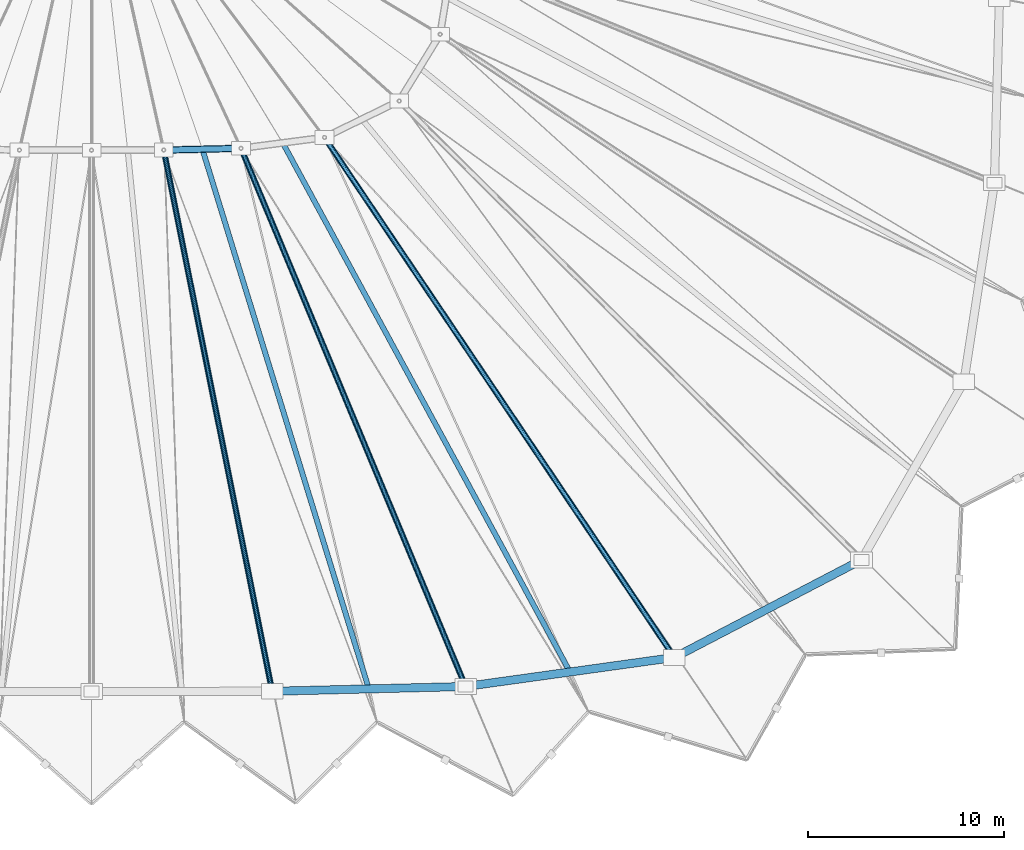
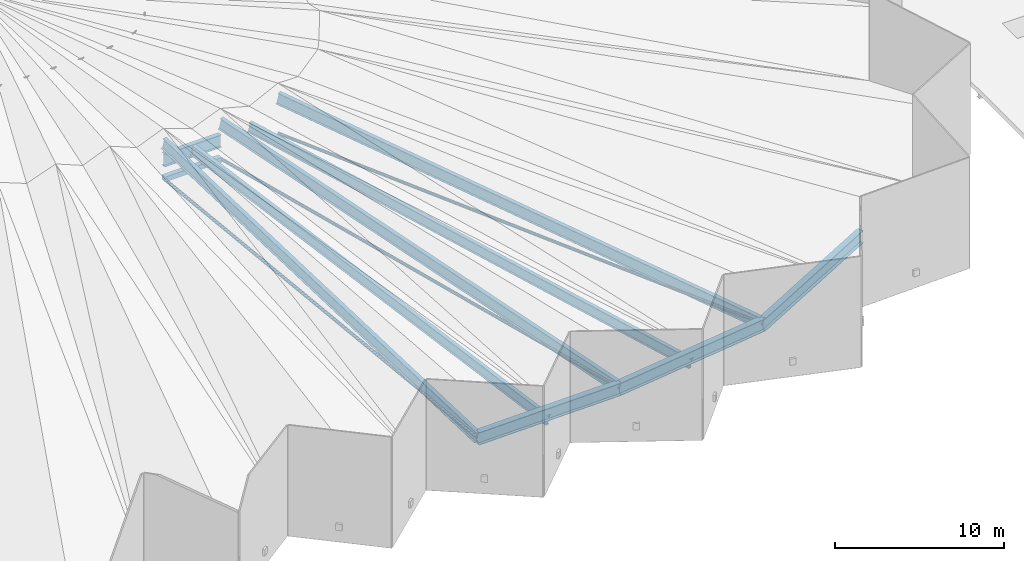
# One storey, part 17 of 41: 9 beams, 4 members.
"""IFC4 building model written with IfcOpenShell, lengths in metres."""

from ifc_helpers import new_model, si_unit, direction, frame, origin, origin_2d, place, context, subcontext, project, spatial, hollow_rectangle, hollow_circle, i_section, extrude, material, material_profile, profile_set, type_object, element, save


model = new_model("IFC4")

# Units and contexts
model_context = context("Model", 3, precision=1e-05, world=origin(), true_north=direction((0.0, 1.0)))
body_context = subcontext(model_context, "Body", "Model", "MODEL_VIEW")
ifc_project = project(units=[si_unit("LENGTHUNIT", "METRE"), si_unit("AREAUNIT", "SQUARE_METRE"), si_unit("VOLUMEUNIT", "CUBIC_METRE"), si_unit("PLANEANGLEUNIT", "RADIAN"), si_unit("MASSUNIT", "GRAM", prefix="KILO")], contexts=[model_context])

# Site, building, storey
site_placement = place(None, origin())
site = spatial("IfcSite", under=ifc_project, at=site_placement, CompositionType="ELEMENT")
building_placement = place(site_placement, origin())
building = spatial("IfcBuilding", under=site, at=building_placement, Name="Luwafu Chhajja Arena", CompositionType="ELEMENT")
storey_placement = place(building_placement, frame((0.0, 0.0, 29.699951171875)))
storey = spatial("IfcBuildingStorey", under=building, at=storey_placement, Name="RF", CompositionType="ELEMENT", Elevation=29.699951171875)

# Beams
ifc_material = material(Name="Steel S355", Category="steel")
ifc_material_profile_1 = material_profile(ifc_material, i_section(OverallWidth=0.29248046875, OverallDepth=0.8408203125, WebThickness=0.0146484375, FlangeThickness=0.021728515625, at=origin_2d()), Name="UB 838x292x194")
ifc_profile_set_1 = profile_set([ifc_material_profile_1], Name="Steel S355")
beam_type_1 = type_object("IfcBeamType", Name="Folded Roof Ridge Girder UB 838x292x194", PredefinedType="BEAM", material=ifc_profile_set_1)
beam_1_placement = place(storey_placement, frame((108.207275390625, 5.411865234375, 0.179931640625), z_axis=(-0.191411716732, 0.955359513043, 0.225055005577), x_axis=(-0.980513548882, -0.196451471, 0.0)))
element("IfcBeam", 1, at=beam_1_placement, inside=storey, type_object=beam_type_1, Name="Roof truss ridge beam FR-26", PredefinedType="BEAM", context=body_context, shape_type="SweptSolid", body=[
    extrude(i_section(OverallWidth=0.29248046875, OverallDepth=0.8408203125, WebThickness=0.0146484375, FlangeThickness=0.021728515625, at=origin_2d()), origin(), (0.0, 0.0, 1.0), 28.8818359375),
])
beam_2_placement = place(storey_placement, frame((118.067138671875, 5.6552734375, 0.179931640625), z_axis=(-0.376163407682, 0.901603356714, 0.213570779564), x_axis=(-0.922896807402, -0.385047377459, 0.0)))
element("IfcBeam", 2, at=beam_2_placement, inside=storey, type_object=beam_type_1, Name="Roof truss ridge beam FR-27", PredefinedType="BEAM", context=body_context, shape_type="SweptSolid", body=[
    extrude(i_section(OverallWidth=0.29248046875, OverallDepth=0.8408203125, WebThickness=0.0146484375, FlangeThickness=0.021728515625, at=origin_2d()), origin(), (0.0, 0.0, 1.0), 30.434814453125),
])
beam_3_placement = place(storey_placement, frame((128.718017578125, 7.13720703125, 0.179931640625), z_axis=(-0.547145201878, 0.81296218727, 0.199310336236), x_axis=(-0.829607074057, -0.558347653953, 0.0)))
element("IfcBeam", 3, at=beam_3_placement, inside=storey, type_object=beam_type_1, Name="Roof truss ridge beam FR-28", PredefinedType="BEAM", context=body_context, shape_type="SweptSolid", body=[
    extrude(i_section(OverallWidth=0.29248046875, OverallDepth=0.8408203125, WebThickness=0.0146484375, FlangeThickness=0.021728515625, at=origin_2d()), origin(), (0.0, 0.0, 1.0), 32.612548828125),
])
ifc_material_profile_2 = material_profile(ifc_material, i_section(OverallWidth=0.2666015625, OverallDepth=0.76220703125, WebThickness=0.014404296875, FlangeThickness=0.021484375, at=origin_2d()), Name="UB 762x267x173")
ifc_profile_set_2 = profile_set([ifc_material_profile_2], Name="Steel S355")
beam_type_2 = type_object("IfcBeamType", Name="Folded Roof Valley Girder UB 762x267x173", PredefinedType="BEAM", material=ifc_profile_set_2)
beam_4_placement = place(storey_placement, frame((113.13720703125, 5.53369140625, -0.3798828125), z_axis=(-0.288785431245, 0.936116966661, 0.200718707224), x_axis=(-0.955563723311, -0.294784617463, 0.0)))
element("IfcBeam", 4, at=beam_4_placement, inside=storey, type_object=beam_type_2, Name="Roof truss valley beam FV-26", PredefinedType="BEAM", context=body_context, shape_type="SweptSolid", body=[
    extrude(i_section(OverallWidth=0.2666015625, OverallDepth=0.76220703125, WebThickness=0.014404296875, FlangeThickness=0.021484375, at=origin_2d()), origin(), (0.0, 0.0, 1.0), 29.393798828125),
])
beam_5_placement = place(storey_placement, frame((123.392578125, 6.396240234375, -0.3798828125), z_axis=(-0.4685551844, 0.863035066768, 0.188749868081), x_axis=(-0.878831897098, -0.47713152971, 0.0)))
element("IfcBeam", 5, at=beam_5_placement, inside=storey, type_object=beam_type_2, Name="Roof truss valley beam FV-27", PredefinedType="BEAM", context=body_context, shape_type="SweptSolid", body=[
    extrude(i_section(OverallWidth=0.2666015625, OverallDepth=0.76220703125, WebThickness=0.014404296875, FlangeThickness=0.021484375, at=origin_2d()), origin(), (0.0, 0.0, 1.0), 31.2578125),
])
ifc_material_profile_3 = material_profile(ifc_material, i_section(OverallWidth=0.305419921875, OverallDepth=0.91845703125, WebThickness=0.017333984375, FlangeThickness=0.02783203125, at=origin_2d()), Name="UB 914x305x253")
ifc_profile_set_3 = profile_set([ifc_material_profile_3], Name="Steel S355")
beam_type_3 = type_object("IfcBeamType", Name="Inner Tension Ring Girder UB 914x305x253", PredefinedType="BEAM", material=ifc_profile_set_3)
beam_6_placement = place(storey_placement, frame((102.678955078125, 33.00439453125, 5.449951171875), z_axis=(0.999732965063, 0.023108408996, 0.0), x_axis=(-0.023108408996, 0.999732965063, 0.0)))
element("IfcBeam", 6, at=beam_6_placement, inside=storey, type_object=beam_type_3, Name="Roof Inner Tension Ring Beam IR-26", PredefinedType="BEAM", context=body_context, shape_type="SweptSolid", body=[
    extrude(i_section(OverallWidth=0.305419921875, OverallDepth=0.91845703125, WebThickness=0.017333984375, FlangeThickness=0.02783203125, at=origin_2d()), origin(), (0.0, 0.0, 1.0), 3.940673828125),
])
ifc_material_profile_4 = material_profile(ifc_material, i_section(OverallWidth=0.41845703125, OverallDepth=0.911865234375, WebThickness=0.019287109375, FlangeThickness=0.031982421875, at=origin_2d()), Name="UB 914x419x343")
ifc_profile_set_4 = profile_set([ifc_material_profile_4], Name="Steel S355")
beam_type_4 = type_object("IfcBeamType", Name="Outer Compression Ring Girder UB 914x419x343", PredefinedType="BEAM", material=ifc_profile_set_4)
beam_7_placement = place(storey_placement, frame((108.207275390625, 5.411865234375, 0.179931640625), z_axis=(0.999695420837, 0.024679253567, 0.0), x_axis=(-0.024679253567, 0.999695420837, 0.0)))
element("IfcBeam", 7, at=beam_7_placement, inside=storey, type_object=beam_type_4, Name="Roof Outer Compression Ring Beam OR-26", PredefinedType="BEAM", context=body_context, shape_type="SweptSolid", body=[
    extrude(i_section(OverallWidth=0.41845703125, OverallDepth=0.911865234375, WebThickness=0.019287109375, FlangeThickness=0.031982421875, at=origin_2d()), origin(), (0.0, 0.0, 1.0), 9.86279296875),
])
beam_8_placement = place(storey_placement, frame((118.067138671875, 5.6552734375, 0.179931640625), z_axis=(0.990458730054, 0.137809666058, 0.0), x_axis=(-0.137809666058, 0.990458730054, 0.0)))
element("IfcBeam", 8, at=beam_8_placement, inside=storey, type_object=beam_type_4, Name="Roof Outer Compression Ring Beam OR-27", PredefinedType="BEAM", context=body_context, shape_type="SweptSolid", body=[
    extrude(i_section(OverallWidth=0.41845703125, OverallDepth=0.911865234375, WebThickness=0.019287109375, FlangeThickness=0.031982421875, at=origin_2d()), origin(), (0.0, 0.0, 1.0), 10.75341796875),
])
beam_9_placement = place(storey_placement, frame((128.718017578125, 7.13720703125, 0.179931640625), z_axis=(0.886755170812, 0.462239404463, 0.0), x_axis=(-0.462239404463, 0.886755170812, 0.0)))
element("IfcBeam", 9, at=beam_9_placement, inside=storey, type_object=beam_type_4, Name="Roof Outer Compression Ring Beam OR-28", PredefinedType="BEAM", context=body_context, shape_type="SweptSolid", body=[
    extrude(i_section(OverallWidth=0.41845703125, OverallDepth=0.911865234375, WebThickness=0.019287109375, FlangeThickness=0.031982421875, at=origin_2d()), origin(), (0.0, 0.0, 1.0), 10.756103515625),
])

# Members
ifc_material_profile_5 = material_profile(ifc_material, hollow_rectangle(XDim=0.35009765625, YDim=0.35009765625, WallThickness=0.01611328125, at=origin_2d()), Name="SHS 350x350x16")
ifc_profile_set_5 = profile_set([ifc_material_profile_5], Name="Steel S355")
member_type_1 = type_object("IfcMemberType", Name="Ring Stabilizing Truss Chord SHS 350", PredefinedType="CHORD", material=ifc_profile_set_5)
member_1_placement = place(storey_placement, frame((102.678955078125, 33.00439453125, 4.10009765625), z_axis=(0.999732965063, 0.023108408996, 0.0), x_axis=(-0.023108408996, 0.999732965063, 0.0)))
element("IfcMember", 10, at=member_1_placement, inside=storey, type_object=member_type_1, Name="Roof Inner Stabilizing Ring Chord IRC-26", PredefinedType="CHORD", context=body_context, shape_type="SweptSolid", body=[
    extrude(hollow_rectangle(XDim=0.35009765625, YDim=0.35009765625, WallThickness=0.01611328125, at=origin_2d()), origin(), (0.0, 0.0, 1.0), 3.940673828125),
])
ifc_material_profile_6 = material_profile(ifc_material, hollow_circle(Radius=0.109619140625, WallThickness=0.010009765625, at=origin_2d()), Name="CHS 219.1x10")
ifc_profile_set_6 = profile_set([ifc_material_profile_6], Name="Steel S355")
member_type_2 = type_object("IfcMemberType", Name="Roof Plan Wind Plan Brace CHS 219", PredefinedType="BRACE", material=ifc_profile_set_6)
member_2_placement = place(storey_placement, frame((108.207275390625, 5.411865234375, 0.179931640625), z_axis=(-0.194572617053, 0.971135956843, 0.13797264229), x_axis=(-0.980513548882, -0.196451471, 0.0)))
element("IfcMember", 11, at=member_2_placement, inside=storey, type_object=member_type_2, Name="Roof truss diagonal web RW-26", PredefinedType="BRACE", context=body_context, shape_type="SweptSolid", body=[
    extrude(hollow_circle(Radius=0.109619140625, WallThickness=0.010009765625, at=origin_2d()), origin(), (0.0, 0.0, 1.0), 28.41259765625),
])
member_3_placement = place(storey_placement, frame((118.067138671875, 5.6552734375, 0.179931640625), z_axis=(-0.381743623517, 0.91497823908, 0.130715828862), x_axis=(-0.922896807402, -0.385047377459, 0.0)))
element("IfcMember", 12, at=member_3_placement, inside=storey, type_object=member_type_2, Name="Roof truss diagonal web RW-27", PredefinedType="BRACE", context=body_context, shape_type="SweptSolid", body=[
    extrude(hollow_circle(Radius=0.109619140625, WallThickness=0.010009765625, at=origin_2d()), origin(), (0.0, 0.0, 1.0), 29.989990234375),
])
member_4_placement = place(storey_placement, frame((128.718017578125, 7.13720703125, 0.179931640625), z_axis=(-0.554193781547, 0.823435145316, 0.12175308601), x_axis=(-0.829607074057, -0.558347653953, 0.0)))
element("IfcMember", 13, at=member_4_placement, inside=storey, type_object=member_type_2, Name="Roof truss diagonal web RW-28", PredefinedType="BRACE", context=body_context, shape_type="SweptSolid", body=[
    extrude(hollow_circle(Radius=0.109619140625, WallThickness=0.010009765625, at=origin_2d()), origin(), (0.0, 0.0, 1.0), 32.19775390625),
])

save(model, "model.ifc")
